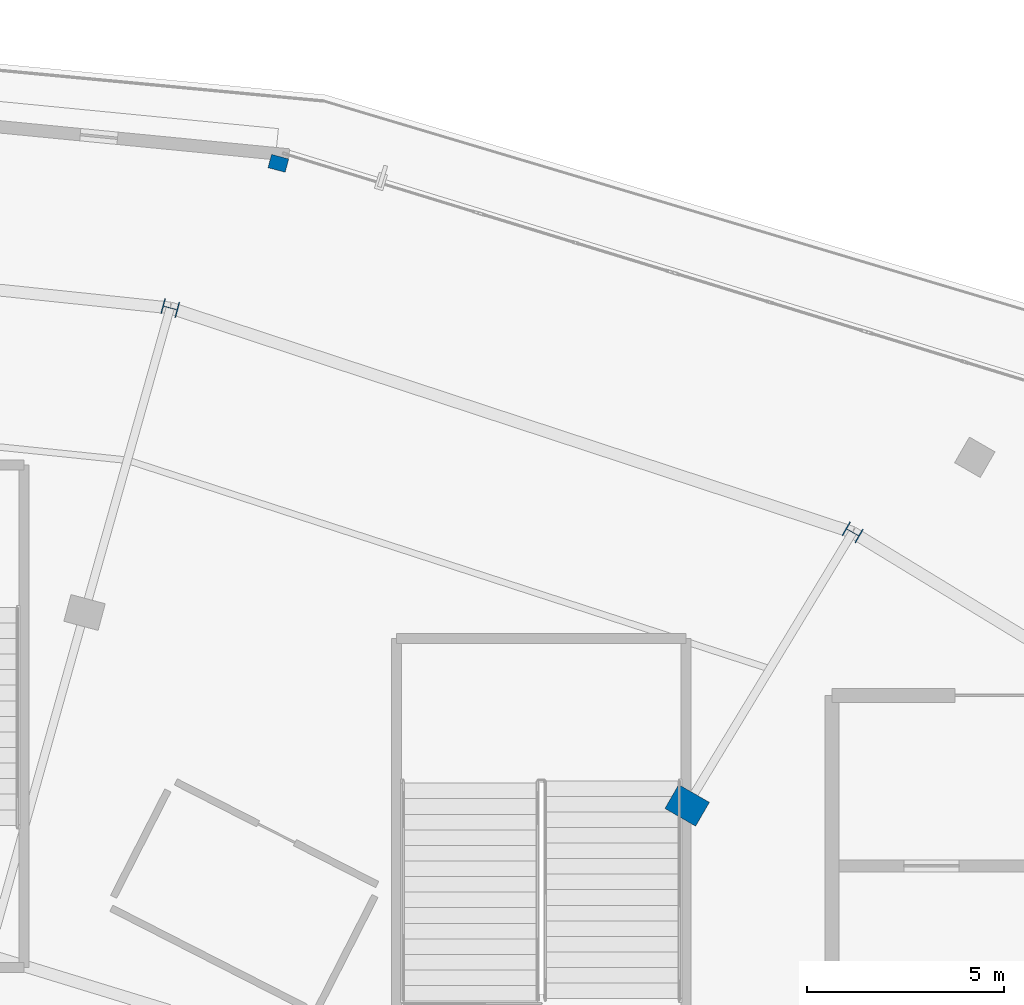
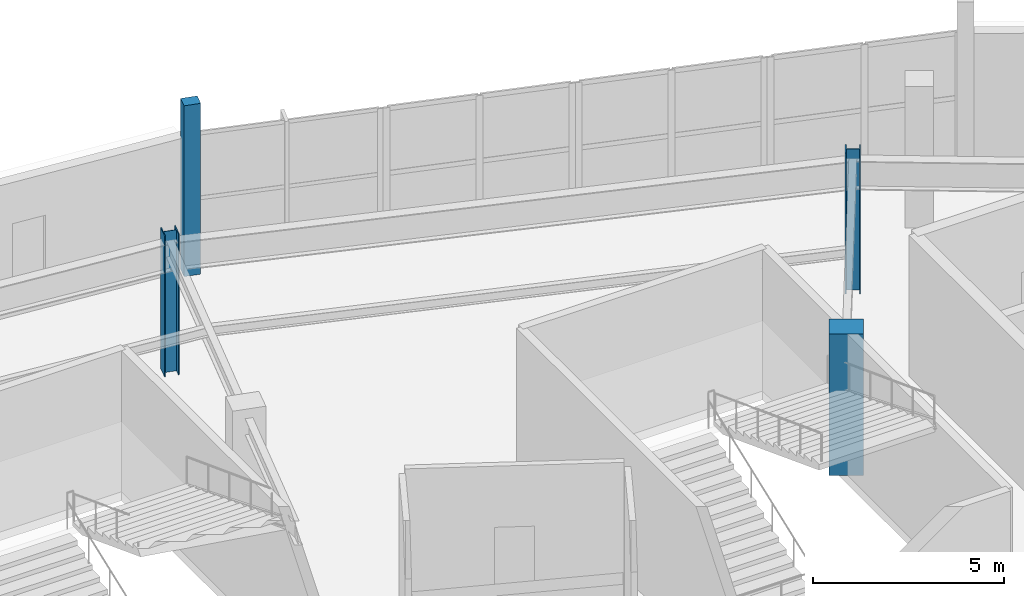
# One storey, part 11 of 123: 4 columns.
"""IFC4 building model written with IfcOpenShell, lengths in metres."""

import ifcopenshell
import ifcopenshell.guid

model = None  # the IFC model being written
_history = None  # IfcOwnerHistory: only IFC2X3 demands one
_inside = {}  # id of a spatial element -> (the spatial element, [elements in it])
_under = {}  # id of a project, library or spatial element -> (it, [spatial elements below it])
_declared = {}  # id of a project -> (the project, [libraries it declares])
_typed = {}  # id of a type object -> (the type object, [elements of that type])
_made_of = {}  # id of a material, layer set ... -> (it, [elements and type objects made of it])


def new_model(schema):
    """Start an empty IFC model of exactly this schema.

    Asked for "IFC4X3", IfcOpenShell would pick the latest addendum, in which some entities
    have other attributes; the version numbers below select the first issue.
    IFC2X3 requires an IfcOwnerHistory on every rooted entity: one is made here for all.
    """
    global model, _history
    if schema == "IFC4X3":
        model = ifcopenshell.file(schema_version=(4, 3, 0, 0))
    else:
        model = ifcopenshell.file(schema=schema)
    _inside.clear()
    _under.clear()
    _declared.clear()
    _typed.clear()
    _made_of.clear()
    _history = None
    if model.schema == "IFC2X3":
        org = make("IfcOrganization", Name="unknown")
        user = make(
            "IfcPersonAndOrganization",
            ThePerson=make("IfcPerson", FamilyName="unknown"),
            TheOrganization=org,
        )
        app = make(
            "IfcApplication",
            ApplicationDeveloper=org,
            Version="unknown",
            ApplicationFullName="unknown",
            ApplicationIdentifier="unknown",
        )
        _history = make(
            "IfcOwnerHistory",
            OwningUser=user,
            OwningApplication=app,
            ChangeAction="ADDED",
            CreationDate=0,
        )
    return model


def make(cls, **values):
    """One entity of the class cls with the attributes given. An attribute that is None is left unset."""
    return model.create_entity(
        cls, **{name: value for name, value in values.items() if value is not None}
    )


def rooted(cls, **values):
    """An entity with a GlobalId (a new one), such as an element, a storey or a relation."""
    return make(cls, GlobalId=ifcopenshell.guid.new(), OwnerHistory=_history, **values)


def si_unit(unit_type, name, prefix=None):
    """IfcSIUnit, for example si_unit("LENGTHUNIT", "METRE", prefix="MILLI")."""
    return make("IfcSIUnit", UnitType=unit_type, Prefix=prefix, Name=name)


def assignment(units):
    """IfcUnitAssignment: the units of a project."""
    return None if units is None else make("IfcUnitAssignment", Units=units)


def point(xyz):
    """IfcCartesianPoint."""
    return None if xyz is None else make("IfcCartesianPoint", Coordinates=xyz)


def direction(xyz):
    """IfcDirection."""
    return None if xyz is None else make("IfcDirection", DirectionRatios=xyz)


def frame(location, z_axis=None, x_axis=None):
    """IfcAxis2Placement3D, a coordinate frame: its origin and axes. An axis left out is left unset."""
    return make(
        "IfcAxis2Placement3D",
        Location=point(location),
        Axis=direction(z_axis),
        RefDirection=direction(x_axis),
    )


def frame_2d(location, x_axis=None):
    """IfcAxis2Placement2D, a coordinate frame in the plane: its origin and x axis."""
    return make(
        "IfcAxis2Placement2D", Location=point(location), RefDirection=direction(x_axis)
    )


def origin():
    """The frame at (0, 0, 0) with its axes left unset."""
    return frame((0.0, 0.0, 0.0))


def origin_2d():
    """The frame at (0, 0) in the plane with its x axis left unset."""
    return frame_2d((0.0, 0.0))


def place(relative_to, where):
    """IfcLocalPlacement: puts the frame where relative to a parent placement (None: the world)."""
    return make(
        "IfcLocalPlacement", PlacementRelTo=relative_to, RelativePlacement=where
    )


def context(
    kind, dimensions, precision=None, world=None, true_north=None, identifier=None
):
    """IfcGeometricRepresentationContext, for example the 3D "Model" context."""
    return make(
        "IfcGeometricRepresentationContext",
        ContextIdentifier=identifier,
        ContextType=kind,
        CoordinateSpaceDimension=dimensions,
        Precision=precision,
        WorldCoordinateSystem=world,
        TrueNorth=true_north,
    )


def subcontext(parent, identifier, kind, view, scale=None):
    """IfcGeometricRepresentationSubContext, for example "Body" below "Model"."""
    return make(
        "IfcGeometricRepresentationSubContext",
        ContextIdentifier=identifier,
        ContextType=kind,
        ParentContext=parent,
        TargetScale=scale,
        TargetView=view,
    )


def project(units=None, contexts=None):
    """IfcProject with its units and contexts."""
    return rooted(
        "IfcProject",
        Name="project",
        RepresentationContexts=contexts,
        UnitsInContext=assignment(units),
    )


def spatial(cls, under=None, at=None, **own):
    """A site, building, storey or space (cls), placed at a placement, below another one or the project."""
    s = rooted(cls, ObjectPlacement=at, **own)
    if under is not None:
        _under.setdefault(under.id(), (under, []))[1].append(s)
    return s


def profile(cls, at=None, kind="AREA", **sizes):
    """A parametric profile (cls). Its sizes go by their IFC names, for example OverallWidth=200.0."""
    return make(cls, ProfileType=kind, Position=at, **sizes)


def rectangle(**sizes):
    """IfcRectangleProfileDef."""
    return profile("IfcRectangleProfileDef", **sizes)


def i_section(**sizes):
    """IfcIShapeProfileDef."""
    return profile("IfcIShapeProfileDef", **sizes)


def extrude(swept, where, along, depth):
    """IfcExtrudedAreaSolid: the profile swept, set in the frame where, extruded along a direction by depth."""
    return make(
        "IfcExtrudedAreaSolid",
        SweptArea=swept,
        Position=where,
        ExtrudedDirection=direction(along),
        Depth=depth,
    )


def shape(context_of_items, identifier, shape_type, items):
    """IfcShapeRepresentation: the items that make up one representation, for example the "Body"."""
    return make(
        "IfcShapeRepresentation",
        ContextOfItems=context_of_items,
        RepresentationIdentifier=identifier,
        RepresentationType=shape_type,
        Items=items,
    )


def material(Name=None, Category=None):
    """IfcMaterial."""
    return make("IfcMaterial", Name=Name, Category=Category)


def material_profile(
    of_material, cross_section, Name=None, Category=None, Priority=None
):
    """IfcMaterialProfile: a cross section and its material."""
    return make(
        "IfcMaterialProfile",
        Name=Name,
        Material=of_material,
        Profile=cross_section,
        Priority=Priority,
        Category=Category,
    )


def profile_set(profiles, Name=None, composite=None):
    """IfcMaterialProfileSet."""
    return make(
        "IfcMaterialProfileSet",
        Name=Name,
        MaterialProfiles=profiles,
        CompositeProfile=composite,
    )


def made_of(thing, what):
    """Note that an element or type object is made of a material, layer set ...; save() writes the relation."""
    if what is not None:
        _made_of.setdefault(what.id(), (what, []))[1].append(thing)
    return thing


def type_object(cls, material=None, **own):
    """A type object (cls), such as IfcWallType, which elements share."""
    return made_of(rooted(cls, **own), material)


def element(
    cls,
    number,
    at=None,
    inside=None,
    cuts=None,
    type_object=None,
    material=None,
    context=None,
    identifier="Body",
    shape_type=None,
    held_by="IfcProductDefinitionShape",
    body=None,
    shapes=None,
    **own,
):
    """One element of the class cls, such as IfcWall. Its Tag is "e" and its number.

    at: its placement. inside: the storey or other place that contains it. cuts: it is an
    opening in that element (IfcRelVoidsElement). A single representation is given by context,
    identifier, shape_type and body (its items); several are given by shapes. held_by: the class
    of the entity that holds the representations. save() writes the other relations.
    """
    e = rooted(cls, Tag="e%d" % number, ObjectPlacement=at, **own)
    if body is not None:
        shapes = [shape(context, identifier, shape_type, body)]
    if shapes is not None:
        e.Representation = make(held_by, Representations=shapes)
    if inside is not None:
        _inside.setdefault(inside.id(), (inside, []))[1].append(e)
    if cuts is not None:
        rooted(
            "IfcRelVoidsElement", RelatingBuildingElement=cuts, RelatedOpeningElement=e
        )
    if type_object is not None:
        _typed.setdefault(type_object.id(), (type_object, []))[1].append(e)
    return made_of(e, material)


def aggregate(whole, parts):
    """IfcRelAggregates: a whole, such as a stair, and the parts it consists of."""
    return rooted("IfcRelAggregates", RelatingObject=whole, RelatedObjects=parts)


def save(model, path):
    """Write the relations noted so far, then the file.

    IfcRelAggregates (storeys below a building ...), IfcRelContainedInSpatialStructure (elements
    in a storey), IfcRelDefinesByType, IfcRelAssociatesMaterial and IfcRelDeclares: one each for
    every whole, place, type object, material and project.
    """
    for whole, parts in _under.values():
        aggregate(whole, parts)
    for where, things in _inside.values():
        rooted(
            "IfcRelContainedInSpatialStructure",
            RelatedElements=things,
            RelatingStructure=where,
        )
    for kind, things in _typed.values():
        rooted("IfcRelDefinesByType", RelatedObjects=things, RelatingType=kind)
    for what, things in _made_of.values():
        rooted("IfcRelAssociatesMaterial", RelatedObjects=things, RelatingMaterial=what)
    for by, libraries in _declared.values():
        rooted("IfcRelDeclares", RelatingContext=by, RelatedDefinitions=libraries)
    model.write(path)


model = new_model("IFC4")

# Units and contexts
model_context = context("Model", 3, precision=1e-05, world=origin(), true_north=direction((0.0, 1.0)))
body_context = subcontext(model_context, "Body", "Model", "MODEL_VIEW")
ifc_project = project(units=[si_unit("LENGTHUNIT", "METRE"), si_unit("AREAUNIT", "SQUARE_METRE"), si_unit("VOLUMEUNIT", "CUBIC_METRE"), si_unit("PLANEANGLEUNIT", "RADIAN"), si_unit("MASSUNIT", "GRAM", prefix="KILO")], contexts=[model_context])

# Site, building, storey
site_placement = place(None, origin())
site = spatial("IfcSite", under=ifc_project, at=site_placement, CompositionType="ELEMENT")
building_placement = place(site_placement, origin())
building = spatial("IfcBuilding", under=site, at=building_placement, Name="Kalgoora Escarpment Arena", CompositionType="ELEMENT")
storey_placement = place(building_placement, frame((0.0, 0.0, 9.89990234375)))
storey = spatial("IfcBuildingStorey", under=building, at=storey_placement, Name="L02", CompositionType="ELEMENT", Elevation=9.89990234375)

# Columns
ifc_material_1 = material(Name="Structural steel Grade 350 (350 MPa)", Category="steel")
ifc_material_profile_1 = material_profile(ifc_material_1, i_section(OverallWidth=0.39990234375, OverallDepth=0.39990234375, WebThickness=0.01611328125, FlangeThickness=0.028076171875, at=origin_2d()))
ifc_profile_set_1 = profile_set([ifc_material_profile_1], Name="Structural steel Grade 350 (350 MPa)")
column_type_1 = type_object("IfcColumnType", Name="COL-COL-400WC212", PredefinedType="COLUMN", material=ifc_profile_set_1)
for number, where, z_axis, x_axis, name in (
    (1, (128.300048828125, 113.36328125, 0.0), (0.0, 0.0, 1.0), (0.5, 0.866025403784, 0.0), "L02 structural column COL-RCONC2-R05"),
    (2, (110.983154296875, 119.057861328125, 0.0), (0.0, 0.0, 1.0), (0.258819045103, 0.965925826289, 0.0), "L02 structural column COL-RCONC2-R06"),
):
    element("IfcColumn", number, at=place(storey_placement, frame(where, z_axis=z_axis, x_axis=x_axis)), inside=storey, type_object=column_type_1, Name=name, PredefinedType="COLUMN", context=body_context, shape_type="SweptSolid", body=[
        extrude(i_section(OverallWidth=0.39990234375, OverallDepth=0.39990234375, WebThickness=0.01611328125, FlangeThickness=0.028076171875, at=origin_2d()), origin(), (0.0, 0.0, 1.0), 4.5),
    ])
ifc_material_2 = material(Name="Concrete N50 (fc' 50 MPa)", Category="concrete")
ifc_material_profile_2 = material_profile(ifc_material_2, rectangle(XDim=0.699951171875, YDim=0.89990234375, at=origin_2d()))
ifc_profile_set_2 = profile_set([ifc_material_profile_2], Name="Concrete N50 (fc' 50 MPa)")
column_type_2 = type_object("IfcColumnType", Name="COL-COL-RC900x700", PredefinedType="COLUMN", material=ifc_profile_set_2)
column_1_placement = place(storey_placement, frame((124.10009765625, 106.435302734375, 0.0), z_axis=(0.0, 0.0, 1.0), x_axis=(0.5, 0.866025403784, 0.0)))
element("IfcColumn", 3, at=column_1_placement, inside=storey, type_object=column_type_2, Name="L02 structural column COL-RCONC1-R05", PredefinedType="COLUMN", context=body_context, shape_type="SweptSolid", body=[
    extrude(rectangle(XDim=0.699951171875, YDim=0.89990234375, at=origin_2d()), origin(), (0.0, 0.0, 1.0), 4.5),
])
ifc_material_3 = material(Name="Precast concrete N50 (fc' 50 MPa)", Category="concrete")
ifc_material_profile_3 = material_profile(ifc_material_3, rectangle(XDim=0.35009765625, YDim=0.449951171875, at=origin_2d()))
ifc_profile_set_3 = profile_set([ifc_material_profile_3], Name="Precast concrete N50 (fc' 50 MPa)")
column_type_3 = type_object("IfcColumnType", Name="COL-PIL-PC-PILASTER-450x350", PredefinedType="PILASTER", material=ifc_profile_set_3)
column_2_placement = place(storey_placement, frame((113.72705078125, 122.72802734375, 0.0), z_axis=(0.0, 0.0, 1.0), x_axis=(0.258819045103, 0.965925826289, 0.0)))
element("IfcColumn", 4, at=column_2_placement, inside=storey, type_object=column_type_3, Name="L02 fluted pilaster PIL-051", PredefinedType="PILASTER", context=body_context, shape_type="SweptSolid", body=[
    extrude(rectangle(XDim=0.35009765625, YDim=0.449951171875, at=origin_2d()), origin(), (0.0, 0.0, 1.0), 5.4501953125),
])

save(model, "model.ifc")
